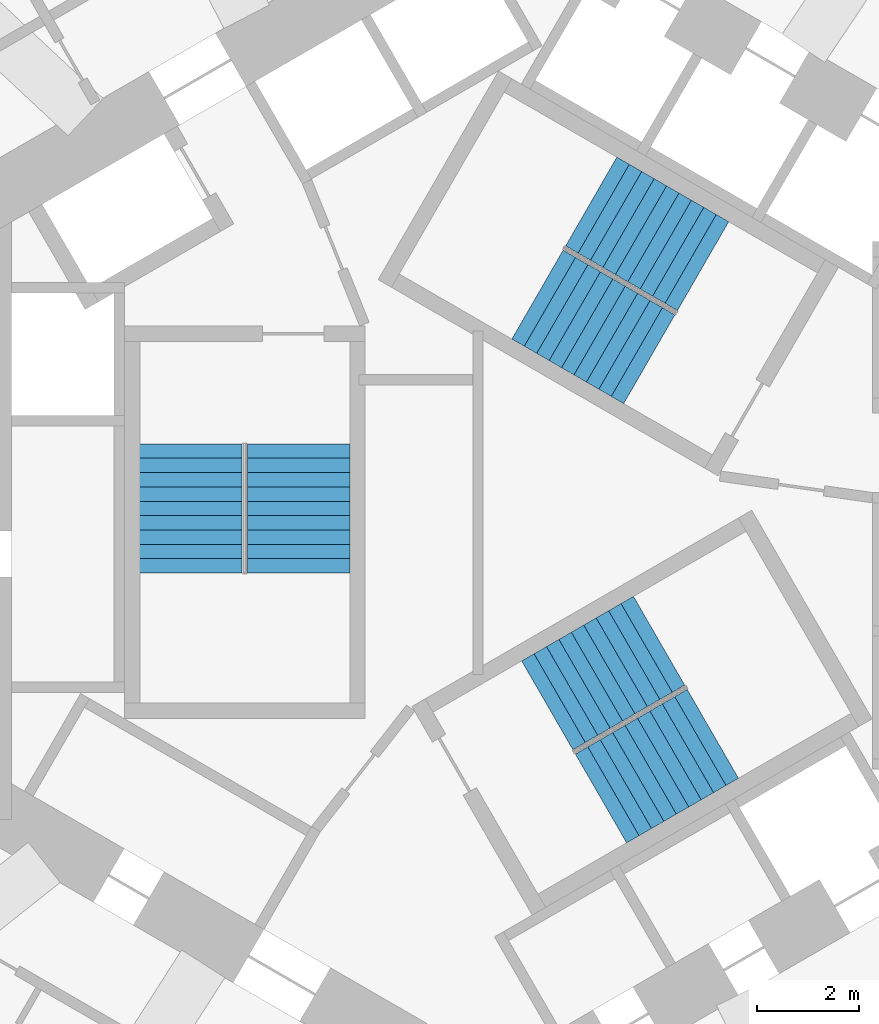
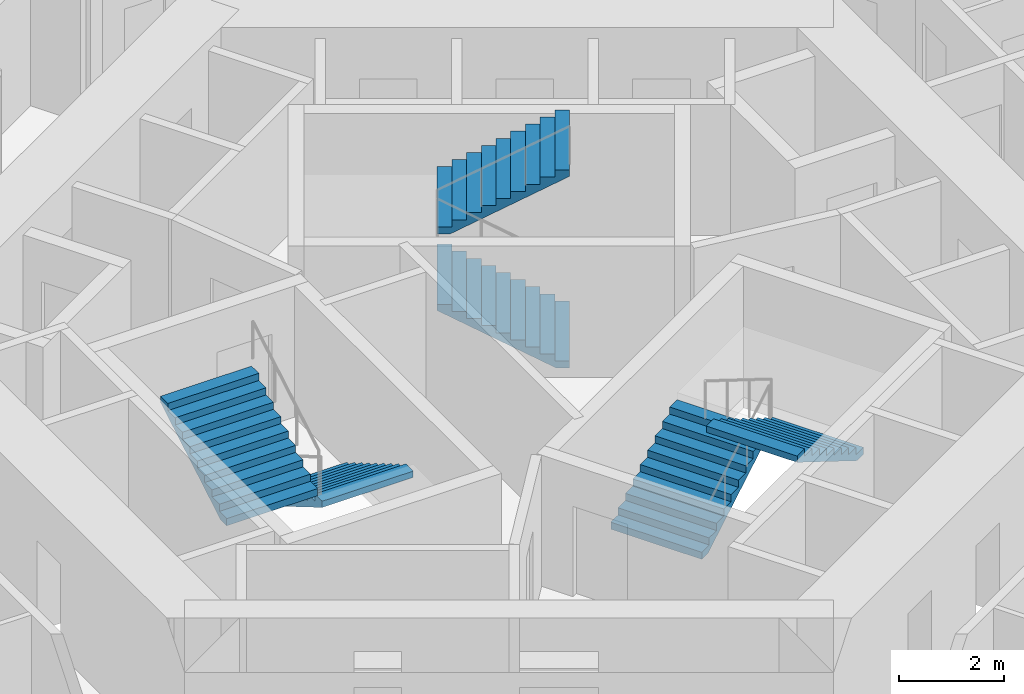
# One storey, part 10 of 12: 6 stair flights, 3 elements without a shape of their own.
"""IFC4 building model written with IfcOpenShell, lengths in metres."""

import ifcopenshell
import ifcopenshell.guid

model = None  # the IFC model being written
_history = None  # IfcOwnerHistory: only IFC2X3 demands one
_inside = {}  # id of a spatial element -> (the spatial element, [elements in it])
_under = {}  # id of a project, library or spatial element -> (it, [spatial elements below it])
_declared = {}  # id of a project -> (the project, [libraries it declares])
_typed = {}  # id of a type object -> (the type object, [elements of that type])
_made_of = {}  # id of a material, layer set ... -> (it, [elements and type objects made of it])


def new_model(schema):
    """Start an empty IFC model of exactly this schema.

    Asked for "IFC4X3", IfcOpenShell would pick the latest addendum, in which some entities
    have other attributes; the version numbers below select the first issue.
    IFC2X3 requires an IfcOwnerHistory on every rooted entity: one is made here for all.
    """
    global model, _history
    if schema == "IFC4X3":
        model = ifcopenshell.file(schema_version=(4, 3, 0, 0))
    else:
        model = ifcopenshell.file(schema=schema)
    _inside.clear()
    _under.clear()
    _declared.clear()
    _typed.clear()
    _made_of.clear()
    _history = None
    if model.schema == "IFC2X3":
        org = make("IfcOrganization", Name="unknown")
        user = make(
            "IfcPersonAndOrganization",
            ThePerson=make("IfcPerson", FamilyName="unknown"),
            TheOrganization=org,
        )
        app = make(
            "IfcApplication",
            ApplicationDeveloper=org,
            Version="unknown",
            ApplicationFullName="unknown",
            ApplicationIdentifier="unknown",
        )
        _history = make(
            "IfcOwnerHistory",
            OwningUser=user,
            OwningApplication=app,
            ChangeAction="ADDED",
            CreationDate=0,
        )
    return model


def make(cls, **values):
    """One entity of the class cls with the attributes given. An attribute that is None is left unset."""
    return model.create_entity(
        cls, **{name: value for name, value in values.items() if value is not None}
    )


def rooted(cls, **values):
    """An entity with a GlobalId (a new one), such as an element, a storey or a relation."""
    return make(cls, GlobalId=ifcopenshell.guid.new(), OwnerHistory=_history, **values)


def si_unit(unit_type, name, prefix=None):
    """IfcSIUnit, for example si_unit("LENGTHUNIT", "METRE", prefix="MILLI")."""
    return make("IfcSIUnit", UnitType=unit_type, Prefix=prefix, Name=name)


def assignment(units):
    """IfcUnitAssignment: the units of a project."""
    return None if units is None else make("IfcUnitAssignment", Units=units)


def point(xyz):
    """IfcCartesianPoint."""
    return None if xyz is None else make("IfcCartesianPoint", Coordinates=xyz)


def direction(xyz):
    """IfcDirection."""
    return None if xyz is None else make("IfcDirection", DirectionRatios=xyz)


def frame(location, z_axis=None, x_axis=None):
    """IfcAxis2Placement3D, a coordinate frame: its origin and axes. An axis left out is left unset."""
    return make(
        "IfcAxis2Placement3D",
        Location=point(location),
        Axis=direction(z_axis),
        RefDirection=direction(x_axis),
    )


def origin():
    """The frame at (0, 0, 0) with its axes left unset."""
    return frame((0.0, 0.0, 0.0))


def place(relative_to, where):
    """IfcLocalPlacement: puts the frame where relative to a parent placement (None: the world)."""
    return make(
        "IfcLocalPlacement", PlacementRelTo=relative_to, RelativePlacement=where
    )


def context(
    kind, dimensions, precision=None, world=None, true_north=None, identifier=None
):
    """IfcGeometricRepresentationContext, for example the 3D "Model" context."""
    return make(
        "IfcGeometricRepresentationContext",
        ContextIdentifier=identifier,
        ContextType=kind,
        CoordinateSpaceDimension=dimensions,
        Precision=precision,
        WorldCoordinateSystem=world,
        TrueNorth=true_north,
    )


def subcontext(parent, identifier, kind, view, scale=None):
    """IfcGeometricRepresentationSubContext, for example "Body" below "Model"."""
    return make(
        "IfcGeometricRepresentationSubContext",
        ContextIdentifier=identifier,
        ContextType=kind,
        ParentContext=parent,
        TargetScale=scale,
        TargetView=view,
    )


def project(units=None, contexts=None):
    """IfcProject with its units and contexts."""
    return rooted(
        "IfcProject",
        Name="project",
        RepresentationContexts=contexts,
        UnitsInContext=assignment(units),
    )


def spatial(cls, under=None, at=None, **own):
    """A site, building, storey or space (cls), placed at a placement, below another one or the project."""
    s = rooted(cls, ObjectPlacement=at, **own)
    if under is not None:
        _under.setdefault(under.id(), (under, []))[1].append(s)
    return s


def point_list(points):
    """IfcCartesianPointList2D or 3D."""
    cls = (
        "IfcCartesianPointList2D" if len(points[0]) == 2 else "IfcCartesianPointList3D"
    )
    return make(cls, CoordList=points)


def triangles(points, corners, closed=None, point_numbers=None):
    """IfcTriangulatedFaceSet: each triangle names its three corners, points numbered from 1."""
    return make(
        "IfcTriangulatedFaceSet",
        Coordinates=point_list(points),
        Closed=closed,
        CoordIndex=corners,
        PnIndex=point_numbers,
    )


def shape(context_of_items, identifier, shape_type, items):
    """IfcShapeRepresentation: the items that make up one representation, for example the "Body"."""
    return make(
        "IfcShapeRepresentation",
        ContextOfItems=context_of_items,
        RepresentationIdentifier=identifier,
        RepresentationType=shape_type,
        Items=items,
    )


def source(mapping_origin, context_of_items, identifier, shape_type, items):
    """IfcRepresentationMap: a shape defined once, which mapped items show again and again."""
    return make(
        "IfcRepresentationMap",
        MappingOrigin=mapping_origin,
        MappedRepresentation=shape(context_of_items, identifier, shape_type, items),
    )


def transform(
    local_origin,
    x_axis=None,
    y_axis=None,
    z_axis=None,
    scale=None,
    scale2=None,
    scale3=None,
    uniform=True,
):
    """IfcCartesianTransformationOperator3D, or its non-uniform kind. x_axis, y_axis, z_axis: its Axis1, 2, 3."""
    if uniform:
        return make(
            "IfcCartesianTransformationOperator3D",
            Axis1=direction(x_axis),
            Axis2=direction(y_axis),
            LocalOrigin=point(local_origin),
            Scale=scale,
            Axis3=direction(z_axis),
        )
    return make(
        "IfcCartesianTransformationOperator3DnonUniform",
        Axis1=direction(x_axis),
        Axis2=direction(y_axis),
        LocalOrigin=point(local_origin),
        Scale=scale,
        Axis3=direction(z_axis),
        Scale2=scale2,
        Scale3=scale3,
    )


def mapped(mapping_source, mapping_target):
    """IfcMappedItem: shows the shape of a source again, moved by a transform."""
    return make(
        "IfcMappedItem", MappingSource=mapping_source, MappingTarget=mapping_target
    )


def material(Name=None, Category=None):
    """IfcMaterial."""
    return make("IfcMaterial", Name=Name, Category=Category)


def made_of(thing, what):
    """Note that an element or type object is made of a material, layer set ...; save() writes the relation."""
    if what is not None:
        _made_of.setdefault(what.id(), (what, []))[1].append(thing)
    return thing


def type_object(cls, material=None, **own):
    """A type object (cls), such as IfcWallType, which elements share."""
    return made_of(rooted(cls, **own), material)


def element(
    cls,
    number,
    at=None,
    inside=None,
    cuts=None,
    type_object=None,
    material=None,
    context=None,
    identifier="Body",
    shape_type=None,
    held_by="IfcProductDefinitionShape",
    body=None,
    shapes=None,
    **own,
):
    """One element of the class cls, such as IfcWall. Its Tag is "e" and its number.

    at: its placement. inside: the storey or other place that contains it. cuts: it is an
    opening in that element (IfcRelVoidsElement). A single representation is given by context,
    identifier, shape_type and body (its items); several are given by shapes. held_by: the class
    of the entity that holds the representations. save() writes the other relations.
    """
    e = rooted(cls, Tag="e%d" % number, ObjectPlacement=at, **own)
    if body is not None:
        shapes = [shape(context, identifier, shape_type, body)]
    if shapes is not None:
        e.Representation = make(held_by, Representations=shapes)
    if inside is not None:
        _inside.setdefault(inside.id(), (inside, []))[1].append(e)
    if cuts is not None:
        rooted(
            "IfcRelVoidsElement", RelatingBuildingElement=cuts, RelatedOpeningElement=e
        )
    if type_object is not None:
        _typed.setdefault(type_object.id(), (type_object, []))[1].append(e)
    return made_of(e, material)


def aggregate(whole, parts):
    """IfcRelAggregates: a whole, such as a stair, and the parts it consists of."""
    return rooted("IfcRelAggregates", RelatingObject=whole, RelatedObjects=parts)


def save(model, path):
    """Write the relations noted so far, then the file.

    IfcRelAggregates (storeys below a building ...), IfcRelContainedInSpatialStructure (elements
    in a storey), IfcRelDefinesByType, IfcRelAssociatesMaterial and IfcRelDeclares: one each for
    every whole, place, type object, material and project.
    """
    for whole, parts in _under.values():
        aggregate(whole, parts)
    for where, things in _inside.values():
        rooted(
            "IfcRelContainedInSpatialStructure",
            RelatedElements=things,
            RelatingStructure=where,
        )
    for kind, things in _typed.values():
        rooted("IfcRelDefinesByType", RelatedObjects=things, RelatingType=kind)
    for what, things in _made_of.values():
        rooted("IfcRelAssociatesMaterial", RelatedObjects=things, RelatingMaterial=what)
    for by, libraries in _declared.values():
        rooted("IfcRelDeclares", RelatingContext=by, RelatedDefinitions=libraries)
    model.write(path)


model = new_model("IFC4")

# Units and contexts
model_context = context("Model", 3, precision=1e-05, world=origin(), true_north=direction((0.0, 1.0)))
body_context = subcontext(model_context, "Body", "Model", "MODEL_VIEW")
ifc_project = project(units=[si_unit("LENGTHUNIT", "METRE"), si_unit("AREAUNIT", "SQUARE_METRE"), si_unit("VOLUMEUNIT", "CUBIC_METRE"), si_unit("PLANEANGLEUNIT", "RADIAN"), si_unit("MASSUNIT", "GRAM", prefix="KILO")], contexts=[model_context])

# Site, building, storey
site_placement = place(None, origin())
site = spatial("IfcSite", under=ifc_project, at=site_placement, CompositionType="ELEMENT")
building_placement = place(site_placement, origin())
building = spatial("IfcBuilding", under=site, at=building_placement, Name="Vanh Sen Convention Tower", CompositionType="ELEMENT")
storey_placement = place(building_placement, frame((0.0, 0.0, 50.60009765625)))
storey = spatial("IfcBuildingStorey", under=building, at=storey_placement, Name="L09", CompositionType="ELEMENT", Elevation=50.60009765625)

# Stair, stair flights
ifc_material_1 = material(Name="Concrete C50/60", Category="concrete")
stair_type_1 = type_object("IfcStairType", Name="Exit stair ST1 20 risers at 165.0", PredefinedType="HALF_TURN_STAIR", material=ifc_material_1)
stair_1_placement = place(storey_placement, origin())
stair_1 = element("IfcStair", 1, at=stair_1_placement, inside=storey, type_object=stair_type_1, Name="Exit stair ST1 L09", PredefinedType="HALF_TURN_STAIR")
ifc_material_2 = material(Name="Concrete C40/50", Category="concrete")
stair_flight_type = type_object("IfcStairFlightType", Name="Stair flight 2000", PredefinedType="STRAIGHT", material=ifc_material_2)
shared_shape = source(origin(), body_context, "Body", "Tessellation", [
    triangles([(0.24609375, 1.0, 0.0), (0.0, 1.0, 0.0), (0.0, 1.0, 0.1650390625), (0.280029296875, 1.0, 0.1650390625), (0.280029296875, 1.0, 0.330078125), (0.56005859375, 1.0, 0.330078125), (0.56005859375, 1.0, 0.4951171875), (0.840087890625, 1.0, 0.4951171875), (0.840087890625, 1.0, 0.659912109375), (1.1201171875, 1.0, 0.659912109375), (1.1201171875, 1.0, 0.824951171875), (1.39990234375, 1.0, 0.824951171875), (1.39990234375, 1.0, 0.989990234375), (1.679931640625, 1.0, 0.989990234375), (1.679931640625, 1.0, 1.155029296875), (1.9599609375, 1.0, 1.155029296875), (1.9599609375, 1.0, 1.320068359375), (2.239990234375, 1.0, 1.320068359375), (2.239990234375, 1.0, 1.485107421875), (2.52001953125, 1.0, 1.485107421875), (2.52001953125, 1.0, 1.33984375), (0.24609375, -1.0, 0.0), (0.0, -1.0, 0.0), (0.0, -1.0, 0.1650390625), (0.280029296875, -1.0, 0.1650390625), (0.280029296875, -1.0, 0.330078125), (0.56005859375, -1.0, 0.330078125), (0.56005859375, -1.0, 0.4951171875), (0.840087890625, -1.0, 0.4951171875), (0.840087890625, -1.0, 0.659912109375), (1.1201171875, -1.0, 0.659912109375), (1.1201171875, -1.0, 0.824951171875), (1.39990234375, -1.0, 0.824951171875), (1.39990234375, -1.0, 0.989990234375), (1.679931640625, -1.0, 0.989990234375), (1.679931640625, -1.0, 1.155029296875), (1.9599609375, -1.0, 1.155029296875), (1.9599609375, -1.0, 1.320068359375), (2.239990234375, -1.0, 1.320068359375), (2.239990234375, -1.0, 1.485107421875), (2.52001953125, -1.0, 1.485107421875), (2.52001953125, -1.0, 1.33984375), (0.0, 0.0400390625, 0.0), (0.0, 0.0390625, 0.0), (0.0, 0.0380859375, 0.0), (0.0, 0.037109375, 0.0), (0.0, 0.035888671875, 0.0), (0.0, 0.034912109375, 0.0), (0.0, 0.033935546875, 0.0), (0.0, 0.032958984375, 0.0), (0.0, 0.031982421875, 0.0), (0.0, 0.031005859375, 0.0), (0.0, 0.030029296875, 0.0), (0.0, 0.029052734375, 0.0), (0.0, 0.028076171875, 0.0), (0.0, 0.027099609375, 0.0), (0.0, 0.02587890625, 0.0), (0.0, 0.02490234375, 0.0), (0.0, 0.02392578125, 0.0), (0.0, 0.02294921875, 0.0), (0.0, 0.02197265625, 0.0), (0.0, 0.02099609375, 0.0), (0.0, 0.02001953125, 0.0), (0.0, 0.01904296875, 0.0), (0.0, 0.01806640625, 0.0), (0.0, 0.01708984375, 0.0), (0.0, 0.01611328125, 0.0), (0.0, 0.014892578125, 0.0), (0.0, 0.013916015625, 0.0), (0.0, 0.012939453125, 0.0), (0.0, 0.011962890625, 0.0), (0.0, 0.010986328125, 0.0), (0.0, 0.010009765625, 0.0), (0.0, 0.009033203125, 0.0), (0.0, 0.008056640625, 0.0), (0.0, 0.007080078125, 0.0), (0.0, 0.006103515625, 0.0), (0.0, 0.0048828125, 0.0), (0.0, 0.00390625, 0.0), (0.0, 0.0029296875, 0.0), (0.0, 0.001953125, 0.0), (0.0, 0.0009765625, 0.0), (0.0, 0.0, 0.0), (0.0, -0.0009765625, 0.0), (0.0, -0.001953125, 0.0), (0.0, -0.0029296875, 0.0), (0.0, -0.00390625, 0.0), (0.0, -0.0048828125, 0.0), (0.0, -0.006103515625, 0.0), (0.0, -0.007080078125, 0.0), (0.0, -0.008056640625, 0.0), (0.0, -0.009033203125, 0.0), (0.0, -0.010009765625, 0.0), (0.0, -0.010986328125, 0.0), (0.0, -0.011962890625, 0.0), (0.0, -0.012939453125, 0.0), (0.0, -0.013916015625, 0.0), (0.0, -0.014892578125, 0.0), (0.0, -0.01611328125, 0.0), (0.0, -0.01708984375, 0.0), (0.0, -0.01806640625, 0.0), (0.0, -0.01904296875, 0.0), (0.0, -0.02001953125, 0.0), (0.0, -0.02099609375, 0.0), (0.0, -0.02197265625, 0.0), (0.0, -0.02294921875, 0.0), (0.0, -0.02392578125, 0.0), (0.0, -0.02490234375, 0.0), (0.0, -0.02587890625, 0.0), (0.0, -0.027099609375, 0.0), (0.0, -0.028076171875, 0.0), (0.0, -0.029052734375, 0.0), (0.0, -0.030029296875, 0.0), (0.0, -0.031005859375, 0.0), (0.0, -0.031982421875, 0.0), (0.0, -0.032958984375, 0.0), (0.0, -0.033935546875, 0.0), (0.0, -0.034912109375, 0.0), (0.0, -0.035888671875, 0.0), (0.0, -0.037109375, 0.0), (0.0, -0.0380859375, 0.0), (0.0, -0.0390625, 0.0), (0.0, -0.0400390625, 0.0), (0.0, 0.0400390625, 0.1650390625), (0.0, 0.0390625, 0.1650390625), (0.0, 0.0380859375, 0.1650390625), (0.0, 0.037109375, 0.1650390625), (0.0, 0.035888671875, 0.1650390625), (0.0, 0.034912109375, 0.1650390625), (0.0, 0.033935546875, 0.1650390625), (0.0, 0.032958984375, 0.1650390625), (0.0, 0.031982421875, 0.1650390625), (0.0, 0.031005859375, 0.1650390625), (0.0, 0.030029296875, 0.1650390625), (0.0, 0.029052734375, 0.1650390625), (0.0, 0.028076171875, 0.1650390625), (0.0, 0.027099609375, 0.1650390625), (0.0, 0.02587890625, 0.1650390625), (0.0, 0.02490234375, 0.1650390625), (0.0, 0.02392578125, 0.1650390625), (0.0, 0.02294921875, 0.1650390625), (0.0, 0.02197265625, 0.1650390625), (0.0, 0.02099609375, 0.1650390625), (0.0, 0.02001953125, 0.1650390625), (0.0, 0.01904296875, 0.1650390625), (0.0, 0.01806640625, 0.1650390625), (0.0, 0.01708984375, 0.1650390625), (0.0, 0.01611328125, 0.1650390625), (0.0, 0.014892578125, 0.1650390625), (0.0, 0.013916015625, 0.1650390625), (0.0, 0.012939453125, 0.1650390625), (0.0, 0.011962890625, 0.1650390625), (0.0, 0.010986328125, 0.1650390625), (0.0, 0.010009765625, 0.1650390625), (0.0, 0.009033203125, 0.1650390625), (0.0, 0.008056640625, 0.1650390625), (0.0, 0.007080078125, 0.1650390625), (0.0, 0.006103515625, 0.1650390625), (0.0, 0.0048828125, 0.1650390625), (0.0, 0.00390625, 0.1650390625), (0.0, 0.0029296875, 0.1650390625), (0.0, 0.001953125, 0.1650390625), (0.0, 0.0009765625, 0.1650390625), (0.0, 0.0, 0.1650390625), (0.0, -0.0009765625, 0.1650390625), (0.0, -0.001953125, 0.1650390625), (0.0, -0.0029296875, 0.1650390625), (0.0, -0.00390625, 0.1650390625), (0.0, -0.0048828125, 0.1650390625), (0.0, -0.006103515625, 0.1650390625), (0.0, -0.007080078125, 0.1650390625), (0.0, -0.008056640625, 0.1650390625), (0.0, -0.009033203125, 0.1650390625), (0.0, -0.010009765625, 0.1650390625), (0.0, -0.010986328125, 0.1650390625), (0.0, -0.011962890625, 0.1650390625), (0.0, -0.012939453125, 0.1650390625), (0.0, -0.013916015625, 0.1650390625), (0.0, -0.014892578125, 0.1650390625), (0.0, -0.01611328125, 0.1650390625), (0.0, -0.01708984375, 0.1650390625), (0.0, -0.01806640625, 0.1650390625), (0.0, -0.01904296875, 0.1650390625), (0.0, -0.02001953125, 0.1650390625), (0.0, -0.02099609375, 0.1650390625), (0.0, -0.02197265625, 0.1650390625), (0.0, -0.02294921875, 0.1650390625), (0.0, -0.02392578125, 0.1650390625), (0.0, -0.02490234375, 0.1650390625), (0.0, -0.02587890625, 0.1650390625), (0.0, -0.027099609375, 0.1650390625), (0.0, -0.028076171875, 0.1650390625), (0.0, -0.029052734375, 0.1650390625), (0.0, -0.030029296875, 0.1650390625), (0.0, -0.031005859375, 0.1650390625), (0.0, -0.031982421875, 0.1650390625), (0.0, -0.032958984375, 0.1650390625), (0.0, -0.033935546875, 0.1650390625), (0.0, -0.034912109375, 0.1650390625), (0.0, -0.035888671875, 0.1650390625), (0.0, -0.037109375, 0.1650390625), (0.0, -0.0380859375, 0.1650390625), (0.0, -0.0390625, 0.1650390625), (0.0, -0.0400390625, 0.1650390625), (0.280029296875, 0.0, 0.1650390625), (0.280029296875, 0.0, 0.330078125), (0.56005859375, 0.0, 0.330078125), (0.56005859375, 0.0, 0.4951171875), (0.840087890625, 0.0, 0.4951171875), (0.840087890625, 0.0, 0.659912109375), (1.1201171875, 0.0, 0.659912109375), (1.1201171875, 0.0, 0.824951171875), (1.39990234375, 0.0, 0.824951171875), (1.39990234375, 0.0, 0.989990234375), (1.679931640625, 0.0, 0.989990234375), (1.679931640625, 0.0, 1.155029296875), (1.9599609375, 0.0, 1.155029296875), (1.9599609375, 0.0, 1.320068359375), (2.239990234375, 0.0, 1.320068359375), (2.239990234375, 0.0, 1.485107421875), (2.52001953125, 0.0400390625, 1.485107421875), (2.52001953125, 0.0390625, 1.485107421875), (2.52001953125, 0.0380859375, 1.485107421875), (2.52001953125, 0.037109375, 1.485107421875), (2.52001953125, 0.035888671875, 1.485107421875), (2.52001953125, 0.034912109375, 1.485107421875), (2.52001953125, 0.033935546875, 1.485107421875), (2.52001953125, 0.032958984375, 1.485107421875), (2.52001953125, 0.031982421875, 1.485107421875), (2.52001953125, 0.031005859375, 1.485107421875), (2.52001953125, 0.030029296875, 1.485107421875), (2.52001953125, 0.029052734375, 1.485107421875), (2.52001953125, 0.028076171875, 1.485107421875), (2.52001953125, 0.027099609375, 1.485107421875), (2.52001953125, 0.02587890625, 1.485107421875), (2.52001953125, 0.02490234375, 1.485107421875), (2.52001953125, 0.02392578125, 1.485107421875), (2.52001953125, 0.02294921875, 1.485107421875), (2.52001953125, 0.02197265625, 1.485107421875), (2.52001953125, 0.02099609375, 1.485107421875), (2.52001953125, 0.02001953125, 1.485107421875), (2.52001953125, 0.01904296875, 1.485107421875), (2.52001953125, 0.01806640625, 1.485107421875), (2.52001953125, 0.01708984375, 1.485107421875), (2.52001953125, 0.01611328125, 1.485107421875), (2.52001953125, 0.014892578125, 1.485107421875), (2.52001953125, 0.013916015625, 1.485107421875), (2.52001953125, 0.012939453125, 1.485107421875), (2.52001953125, 0.011962890625, 1.485107421875), (2.52001953125, 0.010986328125, 1.485107421875), (2.52001953125, 0.010009765625, 1.485107421875), (2.52001953125, 0.009033203125, 1.485107421875), (2.52001953125, 0.008056640625, 1.485107421875), (2.52001953125, 0.007080078125, 1.485107421875), (2.52001953125, 0.006103515625, 1.485107421875), (2.52001953125, 0.0048828125, 1.485107421875), (2.52001953125, 0.00390625, 1.485107421875), (2.52001953125, 0.0029296875, 1.485107421875), (2.52001953125, 0.001953125, 1.485107421875), (2.52001953125, 0.0009765625, 1.485107421875), (2.52001953125, 0.0, 1.485107421875), (2.52001953125, -0.0009765625, 1.485107421875), (2.52001953125, -0.001953125, 1.485107421875), (2.52001953125, -0.0029296875, 1.485107421875), (2.52001953125, -0.00390625, 1.485107421875), (2.52001953125, -0.0048828125, 1.485107421875), (2.52001953125, -0.006103515625, 1.485107421875), (2.52001953125, -0.007080078125, 1.485107421875), (2.52001953125, -0.008056640625, 1.485107421875), (2.52001953125, -0.009033203125, 1.485107421875), (2.52001953125, -0.010009765625, 1.485107421875), (2.52001953125, -0.010986328125, 1.485107421875), (2.52001953125, -0.011962890625, 1.485107421875), (2.52001953125, -0.012939453125, 1.485107421875), (2.52001953125, -0.013916015625, 1.485107421875), (2.52001953125, -0.014892578125, 1.485107421875), (2.52001953125, -0.01611328125, 1.485107421875), (2.52001953125, -0.01708984375, 1.485107421875), (2.52001953125, -0.01806640625, 1.485107421875), (2.52001953125, -0.01904296875, 1.485107421875), (2.52001953125, -0.02001953125, 1.485107421875), (2.52001953125, -0.02099609375, 1.485107421875), (2.52001953125, -0.02197265625, 1.485107421875), (2.52001953125, -0.02294921875, 1.485107421875), (2.52001953125, -0.02392578125, 1.485107421875), (2.52001953125, -0.02490234375, 1.485107421875), (2.52001953125, -0.02587890625, 1.485107421875), (2.52001953125, -0.027099609375, 1.485107421875), (2.52001953125, -0.028076171875, 1.485107421875), (2.52001953125, -0.029052734375, 1.485107421875), (2.52001953125, -0.030029296875, 1.485107421875), (2.52001953125, -0.031005859375, 1.485107421875), (2.52001953125, -0.031982421875, 1.485107421875), (2.52001953125, -0.032958984375, 1.485107421875), (2.52001953125, -0.033935546875, 1.485107421875), (2.52001953125, -0.034912109375, 1.485107421875), (2.52001953125, -0.035888671875, 1.485107421875), (2.52001953125, -0.037109375, 1.485107421875), (2.52001953125, -0.0380859375, 1.485107421875), (2.52001953125, -0.0390625, 1.485107421875), (2.52001953125, -0.0400390625, 1.485107421875), (2.52001953125, 0.0400390625, 1.33984375), (2.52001953125, 0.0390625, 1.33984375), (2.52001953125, 0.0380859375, 1.33984375), (2.52001953125, 0.037109375, 1.33984375), (2.52001953125, 0.035888671875, 1.33984375), (2.52001953125, 0.034912109375, 1.33984375), (2.52001953125, 0.033935546875, 1.33984375), (2.52001953125, 0.032958984375, 1.33984375), (2.52001953125, 0.031982421875, 1.33984375), (2.52001953125, 0.031005859375, 1.33984375), (2.52001953125, 0.030029296875, 1.33984375), (2.52001953125, 0.029052734375, 1.33984375), (2.52001953125, 0.028076171875, 1.33984375), (2.52001953125, 0.027099609375, 1.33984375), (2.52001953125, 0.02587890625, 1.33984375), (2.52001953125, 0.02490234375, 1.33984375), (2.52001953125, 0.02392578125, 1.33984375), (2.52001953125, 0.02294921875, 1.33984375), (2.52001953125, 0.02197265625, 1.33984375), (2.52001953125, 0.02099609375, 1.33984375), (2.52001953125, 0.02001953125, 1.33984375), (2.52001953125, 0.01904296875, 1.33984375), (2.52001953125, 0.01806640625, 1.33984375), (2.52001953125, 0.01708984375, 1.33984375), (2.52001953125, 0.01611328125, 1.33984375), (2.52001953125, 0.014892578125, 1.33984375), (2.52001953125, 0.013916015625, 1.33984375), (2.52001953125, 0.012939453125, 1.33984375), (2.52001953125, 0.011962890625, 1.33984375), (2.52001953125, 0.010986328125, 1.33984375), (2.52001953125, 0.010009765625, 1.33984375), (2.52001953125, 0.009033203125, 1.33984375), (2.52001953125, 0.008056640625, 1.33984375), (2.52001953125, 0.007080078125, 1.33984375), (2.52001953125, 0.006103515625, 1.33984375), (2.52001953125, 0.0048828125, 1.33984375), (2.52001953125, 0.00390625, 1.33984375), (2.52001953125, 0.0029296875, 1.33984375), (2.52001953125, 0.001953125, 1.33984375), (2.52001953125, 0.0009765625, 1.33984375), (2.52001953125, 0.0, 1.33984375), (2.52001953125, -0.0009765625, 1.33984375), (2.52001953125, -0.001953125, 1.33984375), (2.52001953125, -0.0029296875, 1.33984375), (2.52001953125, -0.00390625, 1.33984375), (2.52001953125, -0.0048828125, 1.33984375), (2.52001953125, -0.006103515625, 1.33984375), (2.52001953125, -0.007080078125, 1.33984375), (2.52001953125, -0.008056640625, 1.33984375), (2.52001953125, -0.009033203125, 1.33984375), (2.52001953125, -0.010009765625, 1.33984375), (2.52001953125, -0.010986328125, 1.33984375), (2.52001953125, -0.011962890625, 1.33984375), (2.52001953125, -0.012939453125, 1.33984375), (2.52001953125, -0.013916015625, 1.33984375), (2.52001953125, -0.014892578125, 1.33984375), (2.52001953125, -0.01611328125, 1.33984375), (2.52001953125, -0.01708984375, 1.33984375), (2.52001953125, -0.01806640625, 1.33984375), (2.52001953125, -0.01904296875, 1.33984375), (2.52001953125, -0.02001953125, 1.33984375), (2.52001953125, -0.02099609375, 1.33984375), (2.52001953125, -0.02197265625, 1.33984375), (2.52001953125, -0.02294921875, 1.33984375), (2.52001953125, -0.02392578125, 1.33984375), (2.52001953125, -0.02490234375, 1.33984375), (2.52001953125, -0.02587890625, 1.33984375), (2.52001953125, -0.027099609375, 1.33984375), (2.52001953125, -0.028076171875, 1.33984375), (2.52001953125, -0.029052734375, 1.33984375), (2.52001953125, -0.030029296875, 1.33984375), (2.52001953125, -0.031005859375, 1.33984375), (2.52001953125, -0.031982421875, 1.33984375), (2.52001953125, -0.032958984375, 1.33984375), (2.52001953125, -0.033935546875, 1.33984375), (2.52001953125, -0.034912109375, 1.33984375), (2.52001953125, -0.035888671875, 1.33984375), (2.52001953125, -0.037109375, 1.33984375), (2.52001953125, -0.0380859375, 1.33984375), (2.52001953125, -0.0390625, 1.33984375), (2.52001953125, -0.0400390625, 1.33984375), (0.24609375, 0.0, 0.0)], [[1, 2, 3], [1, 3, 4], [4, 5, 6], [1, 4, 6], [6, 7, 8], [1, 6, 8], [8, 9, 10], [1, 8, 10], [10, 11, 12], [1, 10, 12], [12, 13, 14], [1, 12, 14], [14, 15, 16], [1, 14, 16], [16, 17, 18], [1, 16, 18], [18, 19, 20], [1, 18, 20], [20, 21, 1], [22, 24, 23], [22, 25, 24], [25, 27, 26], [22, 27, 25], [27, 29, 28], [22, 29, 27], [29, 31, 30], [22, 31, 29], [31, 33, 32], [22, 33, 31], [33, 35, 34], [22, 35, 33], [35, 37, 36], [22, 37, 35], [37, 39, 38], [22, 39, 37], [39, 41, 40], [22, 41, 39], [41, 22, 42], [2, 124, 3], [2, 43, 124], [43, 125, 124], [43, 44, 125], [44, 126, 125], [44, 45, 126], [45, 127, 126], [45, 46, 127], [46, 128, 127], [46, 47, 128], [47, 129, 128], [47, 48, 129], [48, 130, 129], [48, 49, 130], [49, 131, 130], [49, 50, 131], [50, 132, 131], [50, 51, 132], [51, 133, 132], [51, 52, 133], [52, 134, 133], [52, 53, 134], [53, 135, 134], [53, 54, 135], [54, 136, 135], [54, 55, 136], [55, 137, 136], [55, 56, 137], [56, 138, 137], [56, 57, 138], [57, 139, 138], [57, 58, 139], [58, 140, 139], [58, 59, 140], [59, 141, 140], [59, 60, 141], [60, 142, 141], [60, 61, 142], [61, 143, 142], [61, 62, 143], [62, 144, 143], [62, 63, 144], [63, 145, 144], [63, 64, 145], [64, 146, 145], [64, 65, 146], [65, 147, 146], [65, 66, 147], [66, 148, 147], [66, 67, 148], [67, 149, 148], [67, 68, 149], [68, 150, 149], [68, 69, 150], [69, 151, 150], [69, 70, 151], [70, 152, 151], [70, 71, 152], [71, 153, 152], [71, 72, 153], [72, 154, 153], [72, 73, 154], [73, 155, 154], [73, 74, 155], [74, 156, 155], [74, 75, 156], [75, 157, 156], [75, 76, 157], [76, 158, 157], [76, 77, 158], [77, 159, 158], [77, 78, 159], [78, 160, 159], [78, 79, 160], [79, 161, 160], [79, 80, 161], [80, 162, 161], [80, 81, 162], [81, 163, 162], [81, 82, 163], [82, 164, 163], [82, 83, 164], [83, 84, 164], [164, 84, 165], [84, 85, 165], [165, 85, 166], [85, 86, 166], [166, 86, 167], [86, 87, 167], [167, 87, 168], [87, 88, 168], [168, 88, 169], [88, 89, 169], [169, 89, 170], [89, 90, 170], [170, 90, 171], [90, 91, 171], [171, 91, 172], [91, 92, 172], [172, 92, 173], [92, 93, 173], [173, 93, 174], [93, 94, 174], [174, 94, 175], [94, 95, 175], [175, 95, 176], [95, 96, 176], [176, 96, 177], [96, 97, 177], [177, 97, 178], [97, 98, 178], [178, 98, 179], [98, 99, 179], [179, 99, 180], [99, 100, 180], [180, 100, 181], [100, 101, 181], [181, 101, 182], [101, 102, 182], [182, 102, 183], [102, 103, 183], [183, 103, 184], [103, 104, 184], [184, 104, 185], [104, 105, 185], [185, 105, 186], [105, 106, 186], [186, 106, 187], [106, 107, 187], [187, 107, 188], [107, 108, 188], [188, 108, 189], [108, 109, 189], [189, 109, 190], [109, 110, 190], [190, 110, 191], [110, 111, 191], [191, 111, 192], [111, 112, 192], [192, 112, 193], [112, 113, 193], [193, 113, 194], [113, 114, 194], [194, 114, 195], [114, 115, 195], [195, 115, 196], [115, 116, 196], [196, 116, 197], [116, 117, 197], [197, 117, 198], [117, 118, 198], [198, 118, 199], [118, 119, 199], [199, 119, 200], [119, 120, 200], [200, 120, 201], [120, 121, 201], [201, 121, 202], [121, 122, 202], [202, 122, 203], [122, 123, 203], [203, 123, 204], [123, 23, 204], [204, 23, 24], [4, 3, 124], [4, 124, 125], [4, 125, 126], [4, 126, 127], [4, 127, 128], [4, 128, 129], [4, 129, 130], [4, 130, 131], [4, 131, 132], [4, 132, 133], [4, 133, 134], [4, 134, 135], [4, 135, 136], [4, 136, 137], [4, 137, 138], [4, 138, 139], [4, 139, 140], [4, 140, 141], [4, 141, 142], [4, 142, 143], [4, 143, 144], [4, 144, 145], [4, 145, 146], [4, 146, 147], [4, 147, 148], [4, 148, 149], [4, 149, 150], [4, 150, 151], [4, 151, 152], [4, 152, 153], [4, 153, 154], [4, 154, 155], [4, 155, 156], [4, 156, 157], [4, 157, 158], [4, 158, 159], [4, 159, 160], [4, 160, 161], [4, 161, 162], [4, 162, 163], [4, 163, 164], [25, 164, 165], [25, 165, 166], [25, 166, 167], [25, 167, 168], [25, 168, 169], [25, 169, 170], [25, 170, 171], [25, 171, 172], [25, 172, 173], [25, 173, 174], [25, 174, 175], [25, 175, 176], [25, 176, 177], [25, 177, 178], [25, 178, 179], [25, 179, 180], [25, 180, 181], [25, 181, 182], [25, 182, 183], [25, 183, 184], [25, 184, 185], [25, 185, 186], [25, 186, 187], [25, 187, 188], [25, 188, 189], [25, 189, 190], [25, 190, 191], [25, 191, 192], [25, 192, 193], [25, 193, 194], [25, 194, 195], [25, 195, 196], [25, 196, 197], [25, 197, 198], [25, 198, 199], [25, 199, 200], [25, 200, 201], [25, 201, 202], [25, 202, 203], [25, 203, 204], [25, 204, 24], [4, 164, 205], [25, 205, 164], [4, 206, 5], [4, 205, 206], [205, 25, 206], [206, 25, 26], [5, 207, 6], [5, 206, 207], [206, 26, 207], [207, 26, 27], [6, 208, 7], [6, 207, 208], [207, 27, 208], [208, 27, 28], [7, 209, 8], [7, 208, 209], [208, 28, 209], [209, 28, 29], [8, 210, 9], [8, 209, 210], [209, 29, 210], [210, 29, 30], [9, 211, 10], [9, 210, 211], [210, 30, 211], [211, 30, 31], [10, 212, 11], [10, 211, 212], [211, 31, 212], [212, 31, 32], [11, 213, 12], [11, 212, 213], [212, 32, 213], [213, 32, 33], [12, 214, 13], [12, 213, 214], [213, 33, 214], [214, 33, 34], [13, 215, 14], [13, 214, 215], [214, 34, 215], [215, 34, 35], [14, 216, 15], [14, 215, 216], [215, 35, 216], [216, 35, 36], [15, 217, 16], [15, 216, 217], [216, 36, 217], [217, 36, 37], [16, 218, 17], [16, 217, 218], [217, 37, 218], [218, 37, 38], [17, 219, 18], [17, 218, 219], [218, 38, 219], [219, 38, 39], [18, 220, 19], [18, 219, 220], [219, 39, 220], [220, 39, 40], [19, 221, 20], [19, 222, 221], [19, 223, 222], [19, 224, 223], [19, 225, 224], [19, 226, 225], [19, 227, 226], [19, 228, 227], [19, 229, 228], [19, 230, 229], [19, 231, 230], [19, 232, 231], [19, 233, 232], [19, 234, 233], [19, 235, 234], [19, 236, 235], [19, 237, 236], [19, 238, 237], [19, 239, 238], [19, 240, 239], [19, 241, 240], [19, 242, 241], [19, 243, 242], [19, 244, 243], [19, 245, 244], [19, 246, 245], [19, 247, 246], [19, 248, 247], [19, 249, 248], [19, 250, 249], [19, 251, 250], [19, 252, 251], [19, 253, 252], [19, 254, 253], [19, 255, 254], [19, 256, 255], [19, 257, 256], [19, 258, 257], [19, 259, 258], [19, 260, 259], [19, 261, 260], [40, 262, 261], [40, 263, 262], [40, 264, 263], [40, 265, 264], [40, 266, 265], [40, 267, 266], [40, 268, 267], [40, 269, 268], [40, 270, 269], [40, 271, 270], [40, 272, 271], [40, 273, 272], [40, 274, 273], [40, 275, 274], [40, 276, 275], [40, 277, 276], [40, 278, 277], [40, 279, 278], [40, 280, 279], [40, 281, 280], [40, 282, 281], [40, 283, 282], [40, 284, 283], [40, 285, 284], [40, 286, 285], [40, 287, 286], [40, 288, 287], [40, 289, 288], [40, 290, 289], [40, 291, 290], [40, 292, 291], [40, 293, 292], [40, 294, 293], [40, 295, 294], [40, 296, 295], [40, 297, 296], [40, 298, 297], [40, 299, 298], [40, 300, 299], [40, 301, 300], [40, 41, 301], [19, 220, 261], [40, 261, 220], [20, 302, 21], [20, 221, 302], [221, 303, 302], [221, 222, 303], [222, 304, 303], [222, 223, 304], [223, 305, 304], [223, 224, 305], [224, 306, 305], [224, 225, 306], [225, 307, 306], [225, 226, 307], [226, 308, 307], [226, 227, 308], [227, 309, 308], [227, 228, 309], [228, 310, 309], [228, 229, 310], [229, 311, 310], [229, 230, 311], [230, 312, 311], [230, 231, 312], [231, 313, 312], [231, 232, 313], [232, 314, 313], [232, 233, 314], [233, 315, 314], [233, 234, 315], [234, 316, 315], [234, 235, 316], [235, 317, 316], [235, 236, 317], [236, 318, 317], [236, 237, 318], [237, 319, 318], [237, 238, 319], [238, 320, 319], [238, 239, 320], [239, 321, 320], [239, 240, 321], [240, 322, 321], [240, 241, 322], [241, 323, 322], [241, 242, 323], [242, 324, 323], [242, 243, 324], [243, 325, 324], [243, 244, 325], [244, 326, 325], [244, 245, 326], [245, 327, 326], [245, 246, 327], [246, 328, 327], [246, 247, 328], [247, 329, 328], [247, 248, 329], [248, 330, 329], [248, 249, 330], [249, 331, 330], [249, 250, 331], [250, 332, 331], [250, 251, 332], [251, 333, 332], [251, 252, 333], [252, 334, 333], [252, 253, 334], [253, 335, 334], [253, 254, 335], [254, 336, 335], [254, 255, 336], [255, 337, 336], [255, 256, 337], [256, 338, 337], [256, 257, 338], [257, 339, 338], [257, 258, 339], [258, 340, 339], [258, 259, 340], [259, 341, 340], [259, 260, 341], [260, 342, 341], [260, 261, 342], [261, 262, 342], [342, 262, 343], [262, 263, 343], [343, 263, 344], [263, 264, 344], [344, 264, 345], [264, 265, 345], [345, 265, 346], [265, 266, 346], [346, 266, 347], [266, 267, 347], [347, 267, 348], [267, 268, 348], [348, 268, 349], [268, 269, 349], [349, 269, 350], [269, 270, 350], [350, 270, 351], [270, 271, 351], [351, 271, 352], [271, 272, 352], [352, 272, 353], [272, 273, 353], [353, 273, 354], [273, 274, 354], [354, 274, 355], [274, 275, 355], [355, 275, 356], [275, 276, 356], [356, 276, 357], [276, 277, 357], [357, 277, 358], [277, 278, 358], [358, 278, 359], [278, 279, 359], [359, 279, 360], [279, 280, 360], [360, 280, 361], [280, 281, 361], [361, 281, 362], [281, 282, 362], [362, 282, 363], [282, 283, 363], [363, 283, 364], [283, 284, 364], [364, 284, 365], [284, 285, 365], [365, 285, 366], [285, 286, 366], [366, 286, 367], [286, 287, 367], [367, 287, 368], [287, 288, 368], [368, 288, 369], [288, 289, 369], [369, 289, 370], [289, 290, 370], [370, 290, 371], [290, 291, 371], [371, 291, 372], [291, 292, 372], [372, 292, 373], [292, 293, 373], [373, 293, 374], [293, 294, 374], [374, 294, 375], [294, 295, 375], [375, 295, 376], [295, 296, 376], [376, 296, 377], [296, 297, 377], [377, 297, 378], [297, 298, 378], [378, 298, 379], [298, 299, 379], [379, 299, 380], [299, 300, 380], [380, 300, 381], [300, 301, 381], [381, 301, 382], [301, 41, 382], [382, 41, 42], [1, 21, 302], [1, 302, 303], [1, 303, 304], [1, 304, 305], [1, 305, 306], [1, 306, 307], [1, 307, 308], [1, 308, 309], [1, 309, 310], [1, 310, 311], [1, 311, 312], [1, 312, 313], [1, 313, 314], [1, 314, 315], [1, 315, 316], [1, 316, 317], [1, 317, 318], [1, 318, 319], [1, 319, 320], [1, 320, 321], [1, 321, 322], [1, 322, 323], [1, 323, 324], [1, 324, 325], [1, 325, 326], [1, 326, 327], [1, 327, 328], [1, 328, 329], [1, 329, 330], [1, 330, 331], [1, 331, 332], [1, 332, 333], [1, 333, 334], [1, 334, 335], [1, 335, 336], [1, 336, 337], [1, 337, 338], [1, 338, 339], [1, 339, 340], [1, 340, 341], [1, 341, 342], [22, 342, 343], [22, 343, 344], [22, 344, 345], [22, 345, 346], [22, 346, 347], [22, 347, 348], [22, 348, 349], [22, 349, 350], [22, 350, 351], [22, 351, 352], [22, 352, 353], [22, 353, 354], [22, 354, 355], [22, 355, 356], [22, 356, 357], [22, 357, 358], [22, 358, 359], [22, 359, 360], [22, 360, 361], [22, 361, 362], [22, 362, 363], [22, 363, 364], [22, 364, 365], [22, 365, 366], [22, 366, 367], [22, 367, 368], [22, 368, 369], [22, 369, 370], [22, 370, 371], [22, 371, 372], [22, 372, 373], [22, 373, 374], [22, 374, 375], [22, 375, 376], [22, 376, 377], [22, 377, 378], [22, 378, 379], [22, 379, 380], [22, 380, 381], [22, 381, 382], [22, 382, 42], [1, 342, 383], [22, 383, 342], [1, 43, 2], [1, 44, 43], [1, 45, 44], [1, 46, 45], [1, 47, 46], [1, 48, 47], [1, 49, 48], [1, 50, 49], [1, 51, 50], [1, 52, 51], [1, 53, 52], [1, 54, 53], [1, 55, 54], [1, 56, 55], [1, 57, 56], [1, 58, 57], [1, 59, 58], [1, 60, 59], [1, 61, 60], [1, 62, 61], [1, 63, 62], [1, 64, 63], [1, 65, 64], [1, 66, 65], [1, 67, 66], [1, 68, 67], [1, 69, 68], [1, 70, 69], [1, 71, 70], [1, 72, 71], [1, 73, 72], [1, 74, 73], [1, 75, 74], [1, 76, 75], [1, 77, 76], [1, 78, 77], [1, 79, 78], [1, 80, 79], [1, 81, 80], [1, 82, 81], [1, 83, 82], [22, 84, 83], [22, 85, 84], [22, 86, 85], [22, 87, 86], [22, 88, 87], [22, 89, 88], [22, 90, 89], [22, 91, 90], [22, 92, 91], [22, 93, 92], [22, 94, 93], [22, 95, 94], [22, 96, 95], [22, 97, 96], [22, 98, 97], [22, 99, 98], [22, 100, 99], [22, 101, 100], [22, 102, 101], [22, 103, 102], [22, 104, 103], [22, 105, 104], [22, 106, 105], [22, 107, 106], [22, 108, 107], [22, 109, 108], [22, 110, 109], [22, 111, 110], [22, 112, 111], [22, 113, 112], [22, 114, 113], [22, 115, 114], [22, 116, 115], [22, 117, 116], [22, 118, 117], [22, 119, 118], [22, 120, 119], [22, 121, 120], [22, 122, 121], [22, 123, 122], [22, 23, 123], [1, 383, 83], [22, 83, 383]], closed=True),
])
stair_flight_1_placement = place(storey_placement, frame((2.94580078125, 2.802490234375, 0.0), z_axis=(0.0, 0.0, 1.0), x_axis=(-0.866025403784, 0.5, 0.0)))
stair_flight_1 = element("IfcStairFlight", 2, at=stair_flight_1_placement, type_object=stair_flight_type, Name="ST1 flight 1", NumberOfRisers=10, NumberOfTreads=9, PredefinedType="STRAIGHT", RiserHeight=0.165, TreadLength=0.28, context=body_context, shape_type="MappedRepresentation", body=[
    mapped(shared_shape, transform((0.0, 0.0, 0.0))),
])
stair_flight_2_placement = place(storey_placement, frame((1.8134765625, 5.881103515625, 1.64990234375), z_axis=(0.0, 0.0, 1.0), x_axis=(0.866025403784, -0.5, 0.0)))
stair_flight_2 = element("IfcStairFlight", 3, at=stair_flight_2_placement, type_object=stair_flight_type, Name="ST1 flight 2", NumberOfRisers=10, NumberOfTreads=9, PredefinedType="STRAIGHT", RiserHeight=0.165, TreadLength=0.28, context=body_context, shape_type="MappedRepresentation", body=[
    mapped(shared_shape, transform((0.0, 0.0, 0.0))),
])
aggregate(stair_1, [stair_flight_1, stair_flight_2])

stair_type_2 = type_object("IfcStairType", Name="Exit stair ST2 20 risers at 165.0", PredefinedType="HALF_TURN_STAIR", material=ifc_material_1)
stair_2_placement = place(storey_placement, origin())
stair_2 = element("IfcStair", 4, at=stair_2_placement, inside=storey, type_object=stair_type_2, Name="Exit stair ST2 L09", PredefinedType="HALF_TURN_STAIR")
stair_flight_3_placement = place(storey_placement, frame((-3.89990234375, 1.14990234375, 0.0), z_axis=(0.0, 0.0, 1.0), x_axis=(0.0, -1.0, 0.0)))
stair_flight_3 = element("IfcStairFlight", 5, at=stair_flight_3_placement, type_object=stair_flight_type, Name="ST2 flight 1", NumberOfRisers=10, NumberOfTreads=9, PredefinedType="STRAIGHT", RiserHeight=0.165, TreadLength=0.28, context=body_context, shape_type="MappedRepresentation", body=[
    mapped(shared_shape, transform((0.0, 0.0, 0.0))),
])
stair_flight_4_placement = place(storey_placement, frame((-6.0, -1.3701171875, 1.64990234375), z_axis=(0.0, 0.0, 1.0), x_axis=(0.0, 1.0, 0.0)))
stair_flight_4 = element("IfcStairFlight", 6, at=stair_flight_4_placement, type_object=stair_flight_type, Name="ST2 flight 2", NumberOfRisers=10, NumberOfTreads=9, PredefinedType="STRAIGHT", RiserHeight=0.165, TreadLength=0.28, context=body_context, shape_type="MappedRepresentation", body=[
    mapped(shared_shape, transform((0.0, 0.0, 0.0))),
])
aggregate(stair_2, [stair_flight_3, stair_flight_4])

stair_type_3 = type_object("IfcStairType", Name="Exit stair ST3 20 risers at 165.0", PredefinedType="HALF_TURN_STAIR", material=ifc_material_1)
stair_3_placement = place(storey_placement, origin())
stair_3 = element("IfcStair", 7, at=stair_3_placement, inside=storey, type_object=stair_type_3, Name="Exit stair ST3 L09", PredefinedType="HALF_TURN_STAIR")
stair_flight_5_placement = place(storey_placement, frame((0.9541015625, -3.952392578125, 0.0), z_axis=(0.0, 0.0, 1.0), x_axis=(0.866025403784, 0.5, 0.0)))
stair_flight_5 = element("IfcStairFlight", 8, at=stair_flight_5_placement, type_object=stair_flight_type, Name="ST3 flight 1", NumberOfRisers=10, NumberOfTreads=9, PredefinedType="STRAIGHT", RiserHeight=0.165, TreadLength=0.28, context=body_context, shape_type="MappedRepresentation", body=[
    mapped(shared_shape, transform((0.0, 0.0, 0.0))),
])
stair_flight_6_placement = place(storey_placement, frame((4.1865234375, -4.51123046875, 1.64990234375), z_axis=(0.0, 0.0, 1.0), x_axis=(-0.866025403784, -0.5, 0.0)))
stair_flight_6 = element("IfcStairFlight", 9, at=stair_flight_6_placement, type_object=stair_flight_type, Name="ST3 flight 2", NumberOfRisers=10, NumberOfTreads=9, PredefinedType="STRAIGHT", RiserHeight=0.165, TreadLength=0.28, context=body_context, shape_type="MappedRepresentation", body=[
    mapped(shared_shape, transform((0.0, 0.0, 0.0))),
])
aggregate(stair_3, [stair_flight_5, stair_flight_6])

save(model, "model.ifc")
